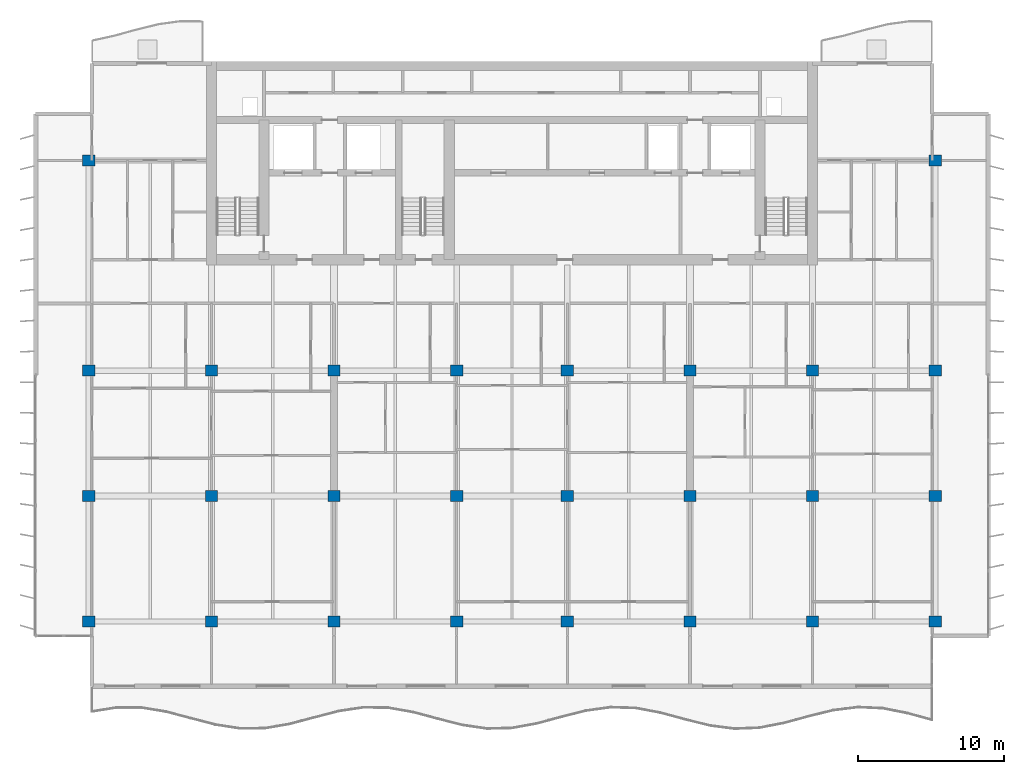
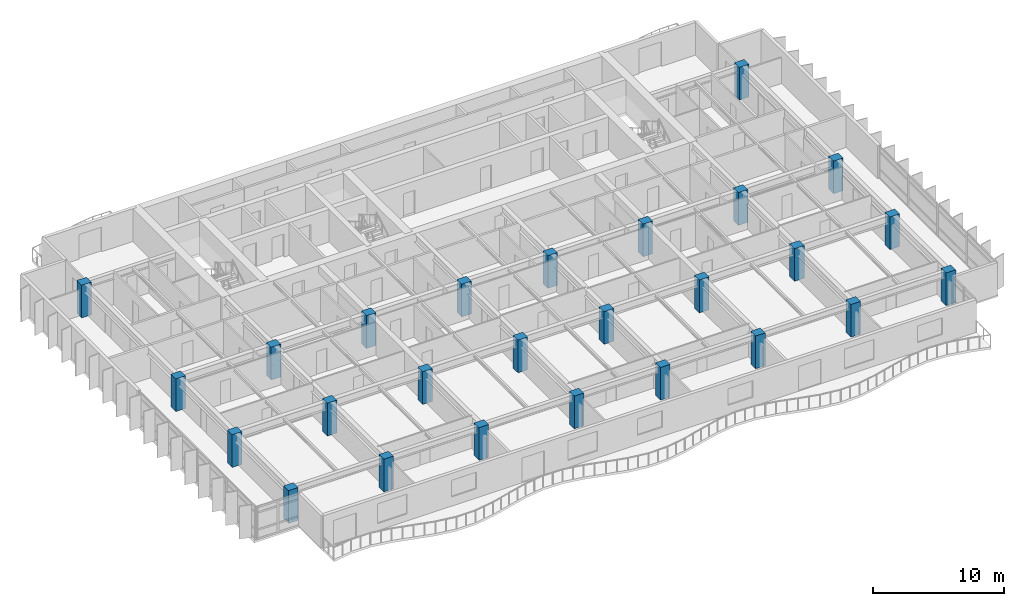
# One storey, part 1 of 16: 26 columns.
"""IFC4 building model written with IfcOpenShell, lengths in metres."""

from ifc_helpers import new_model, si_unit, direction, frame, origin, origin_2d, place, context, subcontext, project, spatial, rectangle, extrude, material, material_profile, profile_set, type_object, element, save


model = new_model("IFC4")

# Units and contexts
model_context = context("Model", 3, precision=1e-05, world=origin(), true_north=direction((0.0, 1.0)))
body_context = subcontext(model_context, "Body", "Model", "MODEL_VIEW")
ifc_project = project(units=[si_unit("LENGTHUNIT", "METRE"), si_unit("AREAUNIT", "SQUARE_METRE"), si_unit("VOLUMEUNIT", "CUBIC_METRE"), si_unit("PLANEANGLEUNIT", "RADIAN"), si_unit("MASSUNIT", "GRAM", prefix="KILO")], contexts=[model_context])

# Site, building, storey
site_placement = place(None, origin())
site = spatial("IfcSite", under=ifc_project, at=site_placement, CompositionType="ELEMENT")
building_placement = place(site_placement, origin())
building = spatial("IfcBuilding", under=site, at=building_placement, Name="Caelmar Bay Residences", CompositionType="ELEMENT")
storey_placement = place(building_placement, frame((0.0, 0.0, 211.5)))
storey = spatial("IfcBuildingStorey", under=building, at=storey_placement, Name="L59", CompositionType="ELEMENT", Elevation=211.5)

# Columns
ifc_material = material(Name="Concrete f'c 55 MPa (8,000 psi)", Category="concrete")
ifc_material_profile = material_profile(ifc_material, rectangle(XDim=0.85009765625, YDim=0.75, at=origin_2d()), Name="RC-COL-850X750")
ifc_profile_set = profile_set([ifc_material_profile], Name="Concrete f'c 55 MPa (8,000 psi)")
column_type = type_object("IfcColumnType", Name="COL-RC-850X750", PredefinedType="COLUMN", material=ifc_profile_set)
for number, where, z_axis, x_axis, name in (
    (1, (9.89990234375, 12.199951171875, 0.0), (0.0, 0.0, 1.0), (1.0, 0.0, 0.0), "L59 Column (9.90,12.20)"),
    (2, (18.300048828125, 12.199951171875, 0.0), (0.0, 0.0, 1.0), (1.0, 0.0, 0.0), "L59 Column (18.30,12.20)"),
    (3, (26.699951171875, 12.199951171875, 0.0), (0.0, 0.0, 1.0), (1.0, 0.0, 0.0), "L59 Column (26.70,12.20)"),
    (4, (35.10009765625, 12.199951171875, 0.0), (0.0, 0.0, 1.0), (1.0, 0.0, 0.0), "L59 Column (35.10,12.20)"),
    (5, (42.699951171875, 12.199951171875, 0.0), (0.0, 0.0, 1.0), (1.0, 0.0, 0.0), "L59 Column (42.70,12.20)"),
    (6, (51.10009765625, 12.199951171875, 0.0), (0.0, 0.0, 1.0), (1.0, 0.0, 0.0), "L59 Column (51.10,12.20)"),
    (7, (59.5, 12.199951171875, 0.0), (0.0, 0.0, 1.0), (1.0, 0.0, 0.0), "L59 Column (59.50,12.20)"),
    (8, (67.89990234375, 12.199951171875, 0.0), (0.0, 0.0, 1.0), (1.0, 0.0, 0.0), "L59 Column (67.90,12.20)"),
    (9, (9.89990234375, 20.800048828125, 0.0), (0.0, 0.0, 1.0), (1.0, 0.0, 0.0), "L59 Column (9.90,20.80)"),
    (10, (18.300048828125, 20.800048828125, 0.0), (0.0, 0.0, 1.0), (1.0, 0.0, 0.0), "L59 Column (18.30,20.80)"),
    (11, (26.699951171875, 20.800048828125, 0.0), (0.0, 0.0, 1.0), (1.0, 0.0, 0.0), "L59 Column (26.70,20.80)"),
    (12, (35.10009765625, 20.800048828125, 0.0), (0.0, 0.0, 1.0), (1.0, 0.0, 0.0), "L59 Column (35.10,20.80)"),
    (13, (42.699951171875, 20.800048828125, 0.0), (0.0, 0.0, 1.0), (1.0, 0.0, 0.0), "L59 Column (42.70,20.80)"),
    (14, (51.10009765625, 20.800048828125, 0.0), (0.0, 0.0, 1.0), (1.0, 0.0, 0.0), "L59 Column (51.10,20.80)"),
    (15, (59.5, 20.800048828125, 0.0), (0.0, 0.0, 1.0), (1.0, 0.0, 0.0), "L59 Column (59.50,20.80)"),
    (16, (67.89990234375, 20.800048828125, 0.0), (0.0, 0.0, 1.0), (1.0, 0.0, 0.0), "L59 Column (67.90,20.80)"),
    (17, (9.89990234375, 29.39990234375, 0.0), (0.0, 0.0, 1.0), (1.0, 0.0, 0.0), "L59 Column (9.90,29.40)"),
    (18, (18.300048828125, 29.39990234375, 0.0), (0.0, 0.0, 1.0), (1.0, 0.0, 0.0), "L59 Column (18.30,29.40)"),
    (19, (26.699951171875, 29.39990234375, 0.0), (0.0, 0.0, 1.0), (1.0, 0.0, 0.0), "L59 Column (26.70,29.40)"),
    (20, (35.10009765625, 29.39990234375, 0.0), (0.0, 0.0, 1.0), (1.0, 0.0, 0.0), "L59 Column (35.10,29.40)"),
    (21, (42.699951171875, 29.39990234375, 0.0), (0.0, 0.0, 1.0), (1.0, 0.0, 0.0), "L59 Column (42.70,29.40)"),
    (22, (51.10009765625, 29.39990234375, 0.0), (0.0, 0.0, 1.0), (1.0, 0.0, 0.0), "L59 Column (51.10,29.40)"),
    (23, (59.5, 29.39990234375, 0.0), (0.0, 0.0, 1.0), (1.0, 0.0, 0.0), "L59 Column (59.50,29.40)"),
    (24, (67.89990234375, 29.39990234375, 0.0), (0.0, 0.0, 1.0), (1.0, 0.0, 0.0), "L59 Column (67.90,29.40)"),
    (25, (9.89990234375, 43.800048828125, 0.0), (0.0, 0.0, 1.0), (1.0, 0.0, 0.0), "L59 Column (9.90,43.80)"),
    (26, (67.89990234375, 43.800048828125, 0.0), (0.0, 0.0, 1.0), (1.0, 0.0, 0.0), "L59 Column (67.90,43.80)"),
):
    element("IfcColumn", number, at=place(storey_placement, frame(where, z_axis=z_axis, x_axis=x_axis)), inside=storey, type_object=column_type, Name=name, PredefinedType="COLUMN", context=body_context, shape_type="SweptSolid", body=[
        extrude(rectangle(XDim=0.85009765625, YDim=0.75, at=origin_2d()), origin(), (0.0, 0.0, 1.0), 3.050048828125),
    ])

save(model, "model.ifc")
